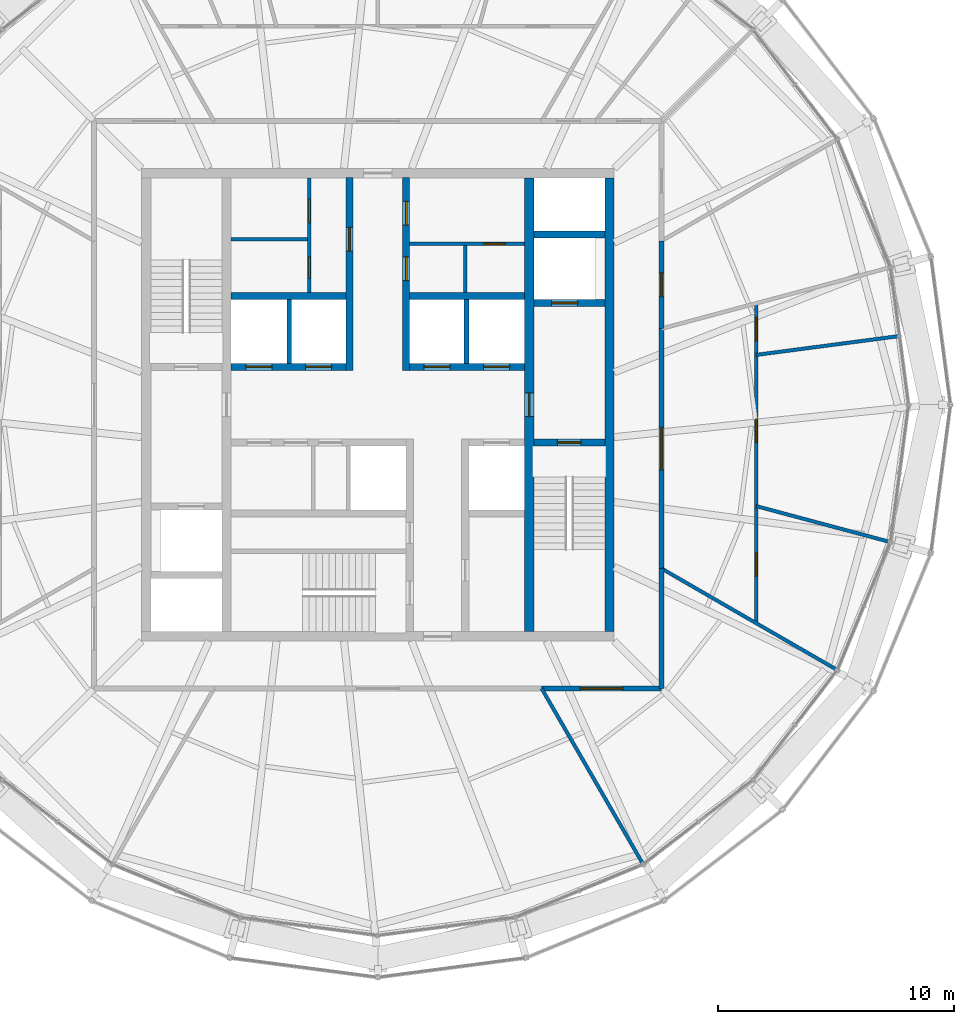
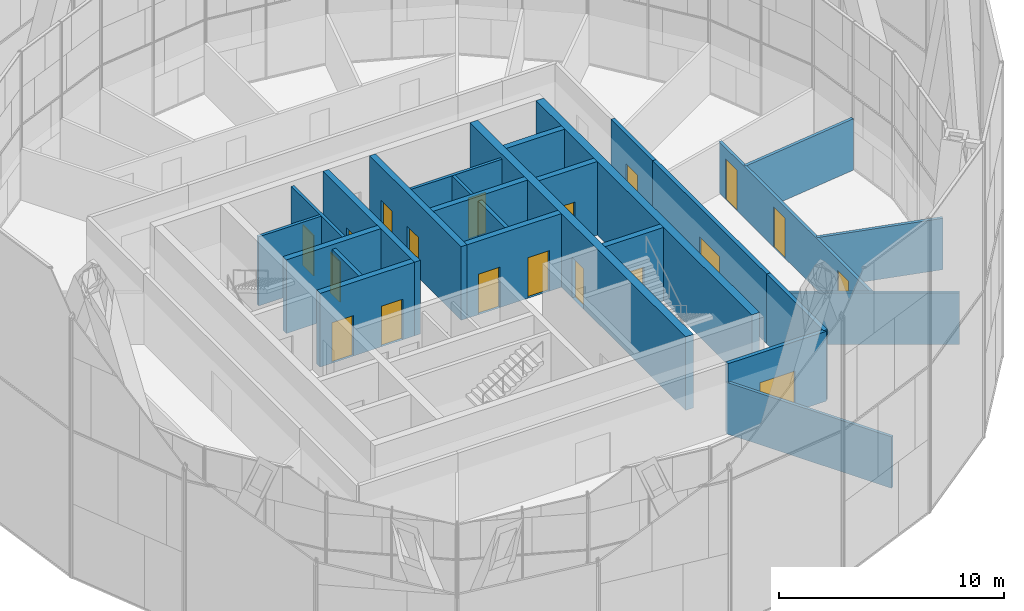
# One storey, part 19 of 22: 26 walls, 19 doors, 19 openings.
"""IFC4 building model written with IfcOpenShell, lengths in metres."""

import ifcopenshell
import ifcopenshell.guid

model = None  # the IFC model being written
_history = None  # IfcOwnerHistory: only IFC2X3 demands one
_inside = {}  # id of a spatial element -> (the spatial element, [elements in it])
_under = {}  # id of a project, library or spatial element -> (it, [spatial elements below it])
_declared = {}  # id of a project -> (the project, [libraries it declares])
_typed = {}  # id of a type object -> (the type object, [elements of that type])
_made_of = {}  # id of a material, layer set ... -> (it, [elements and type objects made of it])


def new_model(schema):
    """Start an empty IFC model of exactly this schema.

    Asked for "IFC4X3", IfcOpenShell would pick the latest addendum, in which some entities
    have other attributes; the version numbers below select the first issue.
    IFC2X3 requires an IfcOwnerHistory on every rooted entity: one is made here for all.
    """
    global model, _history
    if schema == "IFC4X3":
        model = ifcopenshell.file(schema_version=(4, 3, 0, 0))
    else:
        model = ifcopenshell.file(schema=schema)
    _inside.clear()
    _under.clear()
    _declared.clear()
    _typed.clear()
    _made_of.clear()
    _history = None
    if model.schema == "IFC2X3":
        org = make("IfcOrganization", Name="unknown")
        user = make(
            "IfcPersonAndOrganization",
            ThePerson=make("IfcPerson", FamilyName="unknown"),
            TheOrganization=org,
        )
        app = make(
            "IfcApplication",
            ApplicationDeveloper=org,
            Version="unknown",
            ApplicationFullName="unknown",
            ApplicationIdentifier="unknown",
        )
        _history = make(
            "IfcOwnerHistory",
            OwningUser=user,
            OwningApplication=app,
            ChangeAction="ADDED",
            CreationDate=0,
        )
    return model


def make(cls, **values):
    """One entity of the class cls with the attributes given. An attribute that is None is left unset."""
    return model.create_entity(
        cls, **{name: value for name, value in values.items() if value is not None}
    )


def rooted(cls, **values):
    """An entity with a GlobalId (a new one), such as an element, a storey or a relation."""
    return make(cls, GlobalId=ifcopenshell.guid.new(), OwnerHistory=_history, **values)


def si_unit(unit_type, name, prefix=None):
    """IfcSIUnit, for example si_unit("LENGTHUNIT", "METRE", prefix="MILLI")."""
    return make("IfcSIUnit", UnitType=unit_type, Prefix=prefix, Name=name)


def assignment(units):
    """IfcUnitAssignment: the units of a project."""
    return None if units is None else make("IfcUnitAssignment", Units=units)


def point(xyz):
    """IfcCartesianPoint."""
    return None if xyz is None else make("IfcCartesianPoint", Coordinates=xyz)


def direction(xyz):
    """IfcDirection."""
    return None if xyz is None else make("IfcDirection", DirectionRatios=xyz)


def frame(location, z_axis=None, x_axis=None):
    """IfcAxis2Placement3D, a coordinate frame: its origin and axes. An axis left out is left unset."""
    return make(
        "IfcAxis2Placement3D",
        Location=point(location),
        Axis=direction(z_axis),
        RefDirection=direction(x_axis),
    )


def frame_2d(location, x_axis=None):
    """IfcAxis2Placement2D, a coordinate frame in the plane: its origin and x axis."""
    return make(
        "IfcAxis2Placement2D", Location=point(location), RefDirection=direction(x_axis)
    )


def origin():
    """The frame at (0, 0, 0) with its axes left unset."""
    return frame((0.0, 0.0, 0.0))


def place(relative_to, where):
    """IfcLocalPlacement: puts the frame where relative to a parent placement (None: the world)."""
    return make(
        "IfcLocalPlacement", PlacementRelTo=relative_to, RelativePlacement=where
    )


def context(
    kind, dimensions, precision=None, world=None, true_north=None, identifier=None
):
    """IfcGeometricRepresentationContext, for example the 3D "Model" context."""
    return make(
        "IfcGeometricRepresentationContext",
        ContextIdentifier=identifier,
        ContextType=kind,
        CoordinateSpaceDimension=dimensions,
        Precision=precision,
        WorldCoordinateSystem=world,
        TrueNorth=true_north,
    )


def subcontext(parent, identifier, kind, view, scale=None):
    """IfcGeometricRepresentationSubContext, for example "Body" below "Model"."""
    return make(
        "IfcGeometricRepresentationSubContext",
        ContextIdentifier=identifier,
        ContextType=kind,
        ParentContext=parent,
        TargetScale=scale,
        TargetView=view,
    )


def project(units=None, contexts=None):
    """IfcProject with its units and contexts."""
    return rooted(
        "IfcProject",
        Name="project",
        RepresentationContexts=contexts,
        UnitsInContext=assignment(units),
    )


def spatial(cls, under=None, at=None, **own):
    """A site, building, storey or space (cls), placed at a placement, below another one or the project."""
    s = rooted(cls, ObjectPlacement=at, **own)
    if under is not None:
        _under.setdefault(under.id(), (under, []))[1].append(s)
    return s


def profile(cls, at=None, kind="AREA", **sizes):
    """A parametric profile (cls). Its sizes go by their IFC names, for example OverallWidth=200.0."""
    return make(cls, ProfileType=kind, Position=at, **sizes)


def rectangle(**sizes):
    """IfcRectangleProfileDef."""
    return profile("IfcRectangleProfileDef", **sizes)


def extrude(swept, where, along, depth):
    """IfcExtrudedAreaSolid: the profile swept, set in the frame where, extruded along a direction by depth."""
    return make(
        "IfcExtrudedAreaSolid",
        SweptArea=swept,
        Position=where,
        ExtrudedDirection=direction(along),
        Depth=depth,
    )


def shape(context_of_items, identifier, shape_type, items):
    """IfcShapeRepresentation: the items that make up one representation, for example the "Body"."""
    return make(
        "IfcShapeRepresentation",
        ContextOfItems=context_of_items,
        RepresentationIdentifier=identifier,
        RepresentationType=shape_type,
        Items=items,
    )


def material(Name=None, Category=None):
    """IfcMaterial."""
    return make("IfcMaterial", Name=Name, Category=Category)


def layer(
    of_material, thickness, ventilated=None, Name=None, Category=None, Priority=None
):
    """IfcMaterialLayer: one layer of a wall or slab, of a material (None: an air gap)."""
    return make(
        "IfcMaterialLayer",
        Material=of_material,
        LayerThickness=thickness,
        IsVentilated=ventilated,
        Name=Name,
        Category=Category,
        Priority=Priority,
    )


def layer_set(layers, Name=None):
    """IfcMaterialLayerSet."""
    return make("IfcMaterialLayerSet", MaterialLayers=layers, LayerSetName=Name)


def made_of(thing, what):
    """Note that an element or type object is made of a material, layer set ...; save() writes the relation."""
    if what is not None:
        _made_of.setdefault(what.id(), (what, []))[1].append(thing)
    return thing


def type_object(cls, material=None, **own):
    """A type object (cls), such as IfcWallType, which elements share."""
    return made_of(rooted(cls, **own), material)


def element(
    cls,
    number,
    at=None,
    inside=None,
    cuts=None,
    type_object=None,
    material=None,
    context=None,
    identifier="Body",
    shape_type=None,
    held_by="IfcProductDefinitionShape",
    body=None,
    shapes=None,
    **own,
):
    """One element of the class cls, such as IfcWall. Its Tag is "e" and its number.

    at: its placement. inside: the storey or other place that contains it. cuts: it is an
    opening in that element (IfcRelVoidsElement). A single representation is given by context,
    identifier, shape_type and body (its items); several are given by shapes. held_by: the class
    of the entity that holds the representations. save() writes the other relations.
    """
    e = rooted(cls, Tag="e%d" % number, ObjectPlacement=at, **own)
    if body is not None:
        shapes = [shape(context, identifier, shape_type, body)]
    if shapes is not None:
        e.Representation = make(held_by, Representations=shapes)
    if inside is not None:
        _inside.setdefault(inside.id(), (inside, []))[1].append(e)
    if cuts is not None:
        rooted(
            "IfcRelVoidsElement", RelatingBuildingElement=cuts, RelatedOpeningElement=e
        )
    if type_object is not None:
        _typed.setdefault(type_object.id(), (type_object, []))[1].append(e)
    return made_of(e, material)


def fill(opening, filler):
    """IfcRelFillsElement: the door or window that sits in an opening."""
    return rooted(
        "IfcRelFillsElement",
        RelatingOpeningElement=opening,
        RelatedBuildingElement=filler,
    )


def aggregate(whole, parts):
    """IfcRelAggregates: a whole, such as a stair, and the parts it consists of."""
    return rooted("IfcRelAggregates", RelatingObject=whole, RelatedObjects=parts)


def save(model, path):
    """Write the relations noted so far, then the file.

    IfcRelAggregates (storeys below a building ...), IfcRelContainedInSpatialStructure (elements
    in a storey), IfcRelDefinesByType, IfcRelAssociatesMaterial and IfcRelDeclares: one each for
    every whole, place, type object, material and project.
    """
    for whole, parts in _under.values():
        aggregate(whole, parts)
    for where, things in _inside.values():
        rooted(
            "IfcRelContainedInSpatialStructure",
            RelatedElements=things,
            RelatingStructure=where,
        )
    for kind, things in _typed.values():
        rooted("IfcRelDefinesByType", RelatedObjects=things, RelatingType=kind)
    for what, things in _made_of.values():
        rooted("IfcRelAssociatesMaterial", RelatedObjects=things, RelatingMaterial=what)
    for by, libraries in _declared.values():
        rooted("IfcRelDeclares", RelatingContext=by, RelatedDefinitions=libraries)
    model.write(path)


model = new_model("IFC4")

# Units and contexts
model_context = context("Model", 3, precision=1e-05, world=origin(), true_north=direction((0.0, 1.0)))
body_context = subcontext(model_context, "Body", "Model", "MODEL_VIEW")
ifc_project = project(units=[si_unit("LENGTHUNIT", "METRE"), si_unit("AREAUNIT", "SQUARE_METRE"), si_unit("VOLUMEUNIT", "CUBIC_METRE"), si_unit("PLANEANGLEUNIT", "RADIAN"), si_unit("MASSUNIT", "GRAM", prefix="KILO")], contexts=[model_context])

# Site, building, storey
site_placement = place(None, origin())
site = spatial("IfcSite", under=ifc_project, at=site_placement, CompositionType="ELEMENT")
building_placement = place(site_placement, origin())
building = spatial("IfcBuilding", under=site, at=building_placement, Name="Golbaran Civic Tower", CompositionType="ELEMENT")
storey_placement = place(building_placement, frame((0.0, 0.0, 248.0)))
storey = spatial("IfcBuildingStorey", under=building, at=storey_placement, Name="L60", CompositionType="ELEMENT", Elevation=248.0)

# Wall, opening, door
ifc_material_1 = material(Name="Concrete block", Category="concrete")
ifc_layer_1 = layer(ifc_material_1, 0.14990234375, Name="Concrete block")
ifc_layer_set_1 = layer_set([ifc_layer_1], Name="Concrete block")
wall_type_1 = type_object("IfcWallType", Name="BLOCKWORK PARTITION 150", PredefinedType="PARTITIONING", material=ifc_layer_set_1)
wall_1_placement = place(storey_placement, frame((1.35009765625, 6.800048828125, 0.0), z_axis=(0.0, 0.0, 1.0), x_axis=(1.0, 0.0, 0.0)))
wall_1 = element("IfcWall", 1, at=wall_1_placement, inside=storey, type_object=wall_type_1, Name="Toilet block partition TN1 L60", PredefinedType="PARTITIONING", context=body_context, shape_type="SweptSolid", body=[
    extrude(rectangle(XDim=4.849853515625, YDim=0.14990234375, at=frame_2d((2.4248046875, 0.0))), origin(), (0.0, 0.0, 1.0), 3.75),
])
opening_1_placement = place(wall_1_placement, frame((3.14990234375, 0.0, 0.0)))
opening_1 = element("IfcOpeningElement", 2, at=opening_1_placement, cuts=wall_1, Name="Opening L60.CLN", PredefinedType="OPENING", context=body_context, shape_type="SweptSolid", body=[
    extrude(rectangle(XDim=0.89990234375, YDim=2.199951171875, at=frame_2d((0.449951171875, 1.10009765625))), frame((0.0, 0.0849609375, 0.0), z_axis=(0.0, -1.0, 0.0), x_axis=(1.0, 0.0, 0.0)), (0.0, 0.0, 1.0), 0.169921875),
])
ifc_material_2 = material(Name="Timber door set in steel frame", Category="steel")
door_type_1 = type_object("IfcDoorType", Name="RISER DOOR 900x2200", OperationType="SINGLE_SWING_LEFT", PredefinedType="DOOR", material=ifc_material_2)
door_1_placement = place(opening_1_placement, origin())
door_1 = element("IfcDoor", 3, at=door_1_placement, inside=storey, type_object=door_type_1, Name="Floor Store door", OperationType="SINGLE_SWING_RIGHT", OverallHeight=2.199951171875, OverallWidth=0.89990234375, PredefinedType="DOOR", context=body_context, shape_type="SweptSolid", body=[
    extrude(rectangle(XDim=0.89990234375, YDim=2.199951171875, at=frame_2d((0.449951171875, 1.10009765625))), frame((0.0, 0.02490234375, 0.0), z_axis=(0.0, -1.0, 0.0), x_axis=(1.0, 0.0, 0.0)), (0.0, 0.0, 1.0), 0.050048828125),
])
fill(opening_1, door_1)

# Walls
wall_2_placement = place(storey_placement, frame((3.699951171875, 4.75, 0.0), z_axis=(0.0, 0.0, 1.0), x_axis=(0.0, 1.0, 0.0)))
element("IfcWall", 4, at=wall_2_placement, inside=storey, type_object=wall_type_1, Name="Toilet block partition TN2 L60", PredefinedType="PARTITIONING", context=body_context, shape_type="SweptSolid", body=[
    extrude(rectangle(XDim=1.97509765625, YDim=0.14990234375, at=frame_2d((0.987548828125, 0.0))), origin(), (0.0, 0.0, 1.0), 3.75),
])
ifc_material_3 = material(Name="Concrete C50/60", Category="concrete")
ifc_layer_2 = layer(ifc_material_3, 0.39990234375, Name="Concrete C50/60")
ifc_layer_set_2 = layer_set([ifc_layer_2], Name="Concrete C50/60")
wall_type_2 = type_object("IfcWallType", Name="CORE WALL CONCRETE 400", PredefinedType="SOLIDWALL", material=ifc_layer_set_2)
wall_3_placement = place(storey_placement, frame((9.800048828125, -9.60009765625, 0.0), z_axis=(0.0, 0.0, 1.0), x_axis=(0.0, 1.0, 0.0)))
element("IfcWall", 5, at=wall_3_placement, inside=storey, type_object=wall_type_2, Name="Core wall CE L60", PredefinedType="SOLIDWALL", context=body_context, shape_type="SweptSolid", body=[
    extrude(rectangle(XDim=19.2001953125, YDim=0.39990234375, at=frame_2d((9.60009765625, 0.0))), origin(), (0.0, 0.0, 1.0), 4.0),
])

# Wall, opening, door
wall_4_placement = place(storey_placement, frame((6.39990234375, 9.60009765625, 0.0), z_axis=(0.0, 0.0, 1.0), x_axis=(0.0, -1.0, 0.0)))
wall_4 = element("IfcWall", 6, at=wall_4_placement, inside=storey, type_object=wall_type_2, Name="Core wall IE L60", PredefinedType="SOLIDWALL", context=body_context, shape_type="SweptSolid", body=[
    extrude(rectangle(XDim=19.2001953125, YDim=0.39990234375, at=frame_2d((9.60009765625, 0.0))), origin(), (0.0, 0.0, 1.0), 4.0),
])
opening_2_placement = place(wall_4_placement, frame((9.10009765625, 0.0, 0.0)))
opening_2 = element("IfcOpeningElement", 7, at=opening_2_placement, cuts=wall_4, Name="Opening L60.FL2", PredefinedType="OPENING", context=body_context, shape_type="SweptSolid", body=[
    extrude(rectangle(XDim=1.0, YDim=2.199951171875, at=frame_2d((0.5, 1.10009765625))), frame((0.0, 0.2099609375, 0.0), z_axis=(0.0, -1.0, 0.0), x_axis=(1.0, 0.0, 0.0)), (0.0, 0.0, 1.0), 0.419921875),
])
door_type_2 = type_object("IfcDoorType", Name="STAIR DOOR 1000x2200", OperationType="SINGLE_SWING_LEFT", PredefinedType="DOOR", material=ifc_material_2)
door_2_placement = place(opening_2_placement, origin())
door_2 = element("IfcDoor", 8, at=door_2_placement, inside=storey, type_object=door_type_2, Name="Fire-fighting lobby FL2 door", OperationType="SINGLE_SWING_RIGHT", OverallHeight=2.199951171875, OverallWidth=1.0, PredefinedType="DOOR", context=body_context, shape_type="SweptSolid", body=[
    extrude(rectangle(XDim=1.0, YDim=2.199951171875, at=frame_2d((0.5, 1.10009765625))), frame((0.0, 0.02490234375, 0.0), z_axis=(0.0, -1.0, 0.0), x_axis=(1.0, 0.0, 0.0)), (0.0, 0.0, 1.0), 0.050048828125),
])
fill(opening_2, door_2)

ifc_material_4 = material(Name="Gypsum board on steel studs, fire-rated", Category="steel")
ifc_layer_3 = layer(ifc_material_4, 0.199951171875, Name="Gypsum board on steel studs, fire-rated")
ifc_layer_set_3 = layer_set([ifc_layer_3], Name="Gypsum board on steel studs, fire-rated")
wall_type_3 = type_object("IfcWallType", Name="CORRIDOR WALL 200", PredefinedType="PARTITIONING", material=ifc_layer_set_3)
wall_5_placement = place(storey_placement, frame((12.0, -6.92822265625, 0.0), z_axis=(0.0, 0.0, 1.0), x_axis=(0.0, 1.0, 0.0)))
wall_5 = element("IfcWall", 9, at=wall_5_placement, inside=storey, type_object=wall_type_3, Name="Corridor wall L60", PredefinedType="PARTITIONING", context=body_context, shape_type="SweptSolid", body=[
    extrude(rectangle(XDim=10.1435546875, YDim=0.199951171875, at=frame_2d((5.07177734375, 0.0))), origin(), (0.0, 0.0, 1.0), 3.800048828125),
])
opening_3_placement = place(wall_5_placement, frame((4.171875, 0.0, 0.0)))
opening_3 = element("IfcOpeningElement", 10, at=opening_3_placement, cuts=wall_5, Name="Opening L60.14", PredefinedType="OPENING", context=body_context, shape_type="SweptSolid", body=[
    extrude(rectangle(XDim=1.800048828125, YDim=2.199951171875, at=frame_2d((0.89990234375, 1.10009765625))), frame((0.0, 0.10986328125, 0.0), z_axis=(0.0, -1.0, 0.0), x_axis=(1.0, 0.0, 0.0)), (0.0, 0.0, 1.0), 0.219970703125),
])
door_type_3 = type_object("IfcDoorType", Name="OFFICE DOUBLE DOOR 1800x2200", OperationType="DOUBLE_DOOR_SINGLE_SWING", PredefinedType="DOOR", material=ifc_material_2)
door_3_placement = place(opening_3_placement, origin())
door_3 = element("IfcDoor", 11, at=door_3_placement, inside=storey, type_object=door_type_3, Name="Waiting Area door L60", OperationType="DOUBLE_DOOR_SINGLE_SWING", OverallHeight=2.199951171875, OverallWidth=1.800048828125, PredefinedType="DOOR", context=body_context, shape_type="SweptSolid", body=[
    extrude(rectangle(XDim=1.800048828125, YDim=2.199951171875, at=frame_2d((0.89990234375, 1.10009765625))), frame((0.0, 0.02490234375, 0.0), z_axis=(0.0, -1.0, 0.0), x_axis=(1.0, 0.0, 0.0)), (0.0, 0.0, 1.0), 0.050048828125),
])
fill(opening_3, door_3)

wall_6_placement = place(storey_placement, frame((12.0, 3.21533203125, 0.0), z_axis=(0.0, 0.0, 1.0), x_axis=(0.0, 1.0, 0.0)))
wall_6 = element("IfcWall", 12, at=wall_6_placement, inside=storey, type_object=wall_type_3, Name="Corridor wall L60", PredefinedType="PARTITIONING", context=body_context, shape_type="SweptSolid", body=[
    extrude(rectangle(XDim=3.712890625, YDim=0.199951171875, at=frame_2d((1.8564453125, 0.0))), origin(), (0.0, 0.0, 1.0), 3.800048828125),
])
opening_4_placement = place(wall_6_placement, frame((1.3564453125, 0.0, 0.0)))
opening_4 = element("IfcOpeningElement", 13, at=opening_4_placement, cuts=wall_6, Name="Opening L60.15", PredefinedType="OPENING", context=body_context, shape_type="SweptSolid", body=[
    extrude(rectangle(XDim=1.0, YDim=2.199951171875, at=frame_2d((0.5, 1.10009765625))), frame((0.0, 0.10986328125, 0.0), z_axis=(0.0, -1.0, 0.0), x_axis=(1.0, 0.0, 0.0)), (0.0, 0.0, 1.0), 0.219970703125),
])
door_type_4 = type_object("IfcDoorType", Name="OFFICE DOOR 1000x2200", OperationType="SINGLE_SWING_LEFT", PredefinedType="DOOR", material=ifc_material_2)
door_4_placement = place(opening_4_placement, origin())
door_4 = element("IfcDoor", 14, at=door_4_placement, inside=storey, type_object=door_type_4, Name="Meeting Room door L60", OperationType="SINGLE_SWING_LEFT", OverallHeight=2.199951171875, OverallWidth=1.0, PredefinedType="DOOR", context=body_context, shape_type="SweptSolid", body=[
    extrude(rectangle(XDim=1.0, YDim=2.199951171875, at=frame_2d((0.5, 1.10009765625))), frame((0.0, 0.02490234375, 0.0), z_axis=(0.0, -1.0, 0.0), x_axis=(1.0, 0.0, 0.0)), (0.0, 0.0, 1.0), 0.050048828125),
])
fill(opening_4, door_4)

wall_7_placement = place(storey_placement, frame((6.92822265625, -12.0, 0.0), z_axis=(0.0, 0.0, 1.0), x_axis=(1.0, 0.0, 0.0)))
wall_7 = element("IfcWall", 15, at=wall_7_placement, inside=storey, type_object=wall_type_3, Name="Corridor wall L60", PredefinedType="PARTITIONING", context=body_context, shape_type="SweptSolid", body=[
    extrude(rectangle(XDim=5.07177734375, YDim=0.199951171875, at=frame_2d((2.535888671875, 0.0))), origin(), (0.0, 0.0, 1.0), 3.800048828125),
])
opening_5_placement = place(wall_7_placement, frame((1.635986328125, 0.0, 0.0)))
opening_5 = element("IfcOpeningElement", 16, at=opening_5_placement, cuts=wall_7, Name="Opening L60.24", PredefinedType="OPENING", context=body_context, shape_type="SweptSolid", body=[
    extrude(rectangle(XDim=1.800048828125, YDim=2.199951171875, at=frame_2d((0.89990234375, 1.10009765625))), frame((0.0, 0.10986328125, 0.0), z_axis=(0.0, -1.0, 0.0), x_axis=(1.0, 0.0, 0.0)), (0.0, 0.0, 1.0), 0.219970703125),
])
door_5_placement = place(opening_5_placement, origin())
door_5 = element("IfcDoor", 17, at=door_5_placement, inside=storey, type_object=door_type_3, Name="Open Office door L60", OperationType="DOUBLE_DOOR_SINGLE_SWING", OverallHeight=2.199951171875, OverallWidth=1.800048828125, PredefinedType="DOOR", context=body_context, shape_type="SweptSolid", body=[
    extrude(rectangle(XDim=1.800048828125, YDim=2.199951171875, at=frame_2d((0.89990234375, 1.10009765625))), frame((0.0, 0.02490234375, 0.0), z_axis=(0.0, -1.0, 0.0), x_axis=(1.0, 0.0, 0.0)), (0.0, 0.0, 1.0), 0.050048828125),
])
fill(opening_5, door_5)

# Walls
wall_8_placement = place(storey_placement, frame((12.0, -12.0, 0.0), z_axis=(0.0, 0.0, 1.0), x_axis=(0.0, 1.0, 0.0)))
element("IfcWall", 18, at=wall_8_placement, inside=storey, type_object=wall_type_3, Name="Corridor wall L60", PredefinedType="PARTITIONING", context=body_context, shape_type="SweptSolid", body=[
    extrude(rectangle(XDim=5.07177734375, YDim=0.199951171875, at=frame_2d((2.535888671875, 0.0))), origin(), (0.0, 0.0, 1.0), 3.800048828125),
])
ifc_layer_4 = layer(ifc_material_1, 0.199951171875, Name="Concrete block")
ifc_layer_set_4 = layer_set([ifc_layer_4], Name="Concrete block")
wall_type_4 = type_object("IfcWallType", Name="LIFT SEPARATOR WALL 200", PredefinedType="SOLIDWALL", material=ifc_layer_set_4)
for number, where, z_axis, x_axis, name in (
    (19, (-3.75, 1.75, 0.0), (0.0, 0.0, 1.0), (0.0, 1.0, 0.0), "Core partition SNW L60"),
    (20, (3.75, 1.75, 0.0), (0.0, 0.0, 1.0), (0.0, 1.0, 0.0), "Core partition SNE L60"),
):
    element("IfcWall", number, at=place(storey_placement, frame(where, z_axis=z_axis, x_axis=x_axis)), inside=storey, type_object=wall_type_4, Name=name, PredefinedType="SOLIDWALL", context=body_context, shape_type="SweptSolid", body=[
        extrude(rectangle(XDim=2.699951171875, YDim=0.199951171875, at=frame_2d((1.35009765625, 0.0))), origin(), (0.0, 0.0, 1.0), 3.75),
    ])
ifc_material_5 = material(Name="Gypsum board on steel studs", Category="steel")
ifc_layer_5 = layer(ifc_material_5, 0.14990234375, Name="Gypsum board on steel studs")
ifc_layer_set_5 = layer_set([ifc_layer_5], Name="Gypsum board on steel studs")
wall_type_5 = type_object("IfcWallType", Name="OFFICE PARTITION 150", PredefinedType="PARTITIONING", material=ifc_layer_set_5)
for number, where, z_axis, x_axis, name in (
    (21, (12.0, -6.92822265625, 0.0), (0.0, 0.0, 1.0), (0.866026401553, -0.49999827181, 0.0), "Partition 330 L60"),
    (22, (6.92822265625, -12.0, 0.0), (0.0, 0.0, 1.0), (0.49999827181, -0.866026401553, 0.0), "Partition 300 L60"),
):
    element("IfcWall", number, at=place(storey_placement, frame(where, z_axis=z_axis, x_axis=x_axis)), inside=storey, type_object=wall_type_5, Name=name, PredefinedType="PARTITIONING", context=body_context, shape_type="SweptSolid", body=[
        extrude(rectangle(XDim=8.5048828125, YDim=0.14990234375, at=frame_2d((4.25244140625, 0.0))), origin(), (0.0, 0.0, 1.0), 2.7900390625),
    ])

# Wall, openings, doors
wall_9_placement = place(storey_placement, frame((16.0, -9.237548828125, 0.0), z_axis=(0.0, 0.0, 1.0), x_axis=(0.0, 1.0, 0.0)))
wall_9 = element("IfcWall", 23, at=wall_9_placement, inside=storey, type_object=wall_type_5, Name="Suite partition L60", PredefinedType="PARTITIONING", context=body_context, shape_type="SweptSolid", body=[
    extrude(rectangle(XDim=13.524658203125, YDim=0.14990234375, at=frame_2d((6.76220703125, 0.0))), origin(), (0.0, 0.0, 1.0), 2.7900390625),
])
opening_6_placement = place(wall_9_placement, frame((1.97509765625, 0.0, 0.0)))
opening_6 = element("IfcOpeningElement", 24, at=opening_6_placement, cuts=wall_9, Name="Opening L60.02", PredefinedType="OPENING", context=body_context, shape_type="SweptSolid", body=[
    extrude(rectangle(XDim=1.0, YDim=2.199951171875, at=frame_2d((0.5, 1.10009765625))), frame((0.0, 0.0849609375, 0.0), z_axis=(0.0, -1.0, 0.0), x_axis=(1.0, 0.0, 0.0)), (0.0, 0.0, 1.0), 0.169921875),
])
opening_7_placement = place(wall_9_placement, frame((7.647216796875, 0.0, 0.0)))
opening_7 = element("IfcOpeningElement", 25, at=opening_7_placement, cuts=wall_9, Name="Opening L60.03", PredefinedType="OPENING", context=body_context, shape_type="SweptSolid", body=[
    extrude(rectangle(XDim=1.0, YDim=2.199951171875, at=frame_2d((0.5, 1.10009765625))), frame((0.0, 0.0849609375, 0.0), z_axis=(0.0, -1.0, 0.0), x_axis=(1.0, 0.0, 0.0)), (0.0, 0.0, 1.0), 0.169921875),
])
opening_8_placement = place(wall_9_placement, frame((11.934326171875, 0.0, 0.0)))
opening_8 = element("IfcOpeningElement", 26, at=opening_8_placement, cuts=wall_9, Name="Opening L60.04", PredefinedType="OPENING", context=body_context, shape_type="SweptSolid", body=[
    extrude(rectangle(XDim=1.0, YDim=2.199951171875, at=frame_2d((0.5, 1.10009765625))), frame((0.0, 0.0849609375, 0.0), z_axis=(0.0, -1.0, 0.0), x_axis=(1.0, 0.0, 0.0)), (0.0, 0.0, 1.0), 0.169921875),
])
door_6_placement = place(opening_6_placement, origin())
door_6 = element("IfcDoor", 27, at=door_6_placement, inside=storey, type_object=door_type_4, Name="Office door L60", OperationType="SINGLE_SWING_LEFT", OverallHeight=2.199951171875, OverallWidth=1.0, PredefinedType="DOOR", context=body_context, shape_type="SweptSolid", body=[
    extrude(rectangle(XDim=1.0, YDim=2.199951171875, at=frame_2d((0.5, 1.10009765625))), frame((0.0, 0.02490234375, 0.0), z_axis=(0.0, -1.0, 0.0), x_axis=(1.0, 0.0, 0.0)), (0.0, 0.0, 1.0), 0.050048828125),
])
fill(opening_6, door_6)
door_7_placement = place(opening_7_placement, origin())
door_7 = element("IfcDoor", 28, at=door_7_placement, inside=storey, type_object=door_type_4, Name="Office door L60", OperationType="SINGLE_SWING_RIGHT", OverallHeight=2.199951171875, OverallWidth=1.0, PredefinedType="DOOR", context=body_context, shape_type="SweptSolid", body=[
    extrude(rectangle(XDim=1.0, YDim=2.199951171875, at=frame_2d((0.5, 1.10009765625))), frame((0.0, 0.02490234375, 0.0), z_axis=(0.0, -1.0, 0.0), x_axis=(1.0, 0.0, 0.0)), (0.0, 0.0, 1.0), 0.050048828125),
])
fill(opening_7, door_7)
door_8_placement = place(opening_8_placement, origin())
door_8 = element("IfcDoor", 29, at=door_8_placement, inside=storey, type_object=door_type_4, Name="Office door L60", OperationType="SINGLE_SWING_RIGHT", OverallHeight=2.199951171875, OverallWidth=1.0, PredefinedType="DOOR", context=body_context, shape_type="SweptSolid", body=[
    extrude(rectangle(XDim=1.0, YDim=2.199951171875, at=frame_2d((0.5, 1.10009765625))), frame((0.0, 0.02490234375, 0.0), z_axis=(0.0, -1.0, 0.0), x_axis=(1.0, 0.0, 0.0)), (0.0, 0.0, 1.0), 0.050048828125),
])
fill(opening_8, door_8)

# Walls
wall_10_placement = place(storey_placement, frame((16.0, -4.287109375, 0.0), z_axis=(0.0, 0.0, 1.0), x_axis=(0.96591966376, -0.258842042881, 0.0)))
element("IfcWall", 30, at=wall_10_placement, inside=storey, type_object=wall_type_5, Name="Partition 345 L60", PredefinedType="PARTITIONING", context=body_context, shape_type="SweptSolid", body=[
    extrude(rectangle(XDim=5.796875, YDim=0.14990234375, at=frame_2d((2.8984375, 0.0))), origin(), (0.0, 0.0, 1.0), 2.7900390625),
])
wall_11_placement = place(storey_placement, frame((16.0, 2.1064453125, 0.0), z_axis=(0.0, 0.0, 1.0), x_axis=(0.991443960057, 0.130533038219, 0.0)))
element("IfcWall", 31, at=wall_11_placement, inside=storey, type_object=wall_type_5, Name="Partition 7.5 L60", PredefinedType="PARTITIONING", context=body_context, shape_type="SweptSolid", body=[
    extrude(rectangle(XDim=6.03173828125, YDim=0.14990234375, at=frame_2d((3.015869140625, 0.0))), origin(), (0.0, 0.0, 1.0), 2.7900390625),
])

# Wall, openings, doors
ifc_layer_6 = layer(ifc_material_3, 0.300048828125, Name="Concrete C50/60")
ifc_layer_set_6 = layer_set([ifc_layer_6], Name="Concrete C50/60")
wall_type_6 = type_object("IfcWallType", Name="SHAFT WALL CONCRETE 300", PredefinedType="SOLIDWALL", material=ifc_layer_set_6)
wall_12_placement = place(storey_placement, frame((-6.199951171875, 1.60009765625, 0.0), z_axis=(0.0, 0.0, 1.0), x_axis=(1.0, 0.0, 0.0)))
wall_12 = element("IfcWall", 32, at=wall_12_placement, inside=storey, type_object=wall_type_6, Name="Core wall FNW L60", PredefinedType="SOLIDWALL", context=body_context, shape_type="SweptSolid", body=[
    extrude(rectangle(XDim=4.849853515625, YDim=0.300048828125, at=frame_2d((2.4248046875, 0.0))), origin(), (0.0, 0.0, 1.0), 4.0),
])
opening_9_placement = place(wall_12_placement, frame((0.625, 0.0, 0.0)))
opening_9 = element("IfcOpeningElement", 33, at=opening_9_placement, cuts=wall_12, Name="Opening L60.LD-Z1T", PredefinedType="OPENING", context=body_context, shape_type="SweptSolid", body=[
    extrude(rectangle(XDim=1.10009765625, YDim=2.199951171875, at=frame_2d((0.550048828125, 1.10009765625))), frame((0.0, 0.159912109375, 0.0), z_axis=(0.0, -1.0, 0.0), x_axis=(1.0, 0.0, 0.0)), (0.0, 0.0, 1.0), 0.320068359375),
])
opening_10_placement = place(wall_12_placement, frame((3.14990234375, 0.0, 0.0)))
opening_10 = element("IfcOpeningElement", 34, at=opening_10_placement, cuts=wall_12, Name="Opening L60.LD-Z2T", PredefinedType="OPENING", context=body_context, shape_type="SweptSolid", body=[
    extrude(rectangle(XDim=1.10009765625, YDim=2.199951171875, at=frame_2d((0.550048828125, 1.10009765625))), frame((0.0, 0.159912109375, 0.0), z_axis=(0.0, -1.0, 0.0), x_axis=(1.0, 0.0, 0.0)), (0.0, 0.0, 1.0), 0.320068359375),
])
ifc_material_6 = material(Name="Stainless steel", Category="steel")
door_type_5 = type_object("IfcDoorType", Name="LIFT LANDING DOOR 1100x2200", OperationType="SLIDING_TO_LEFT", PredefinedType="DOOR", material=ifc_material_6)
door_9_placement = place(opening_9_placement, origin())
door_9 = element("IfcDoor", 35, at=door_9_placement, inside=storey, type_object=door_type_5, Name="Lift landing door Z1T", OperationType="SLIDING_TO_LEFT", OverallHeight=2.199951171875, OverallWidth=1.10009765625, PredefinedType="DOOR", context=body_context, shape_type="SweptSolid", body=[
    extrude(rectangle(XDim=1.10009765625, YDim=2.199951171875, at=frame_2d((0.550048828125, 1.10009765625))), frame((0.0, 0.02490234375, 0.0), z_axis=(0.0, -1.0, 0.0), x_axis=(1.0, 0.0, 0.0)), (0.0, 0.0, 1.0), 0.050048828125),
])
fill(opening_9, door_9)
door_10_placement = place(opening_10_placement, origin())
door_10 = element("IfcDoor", 36, at=door_10_placement, inside=storey, type_object=door_type_5, Name="Lift landing door Z2T", OperationType="SLIDING_TO_LEFT", OverallHeight=2.199951171875, OverallWidth=1.10009765625, PredefinedType="DOOR", context=body_context, shape_type="SweptSolid", body=[
    extrude(rectangle(XDim=1.10009765625, YDim=2.199951171875, at=frame_2d((0.550048828125, 1.10009765625))), frame((0.0, 0.02490234375, 0.0), z_axis=(0.0, -1.0, 0.0), x_axis=(1.0, 0.0, 0.0)), (0.0, 0.0, 1.0), 0.050048828125),
])
fill(opening_10, door_10)

wall_13_placement = place(storey_placement, frame((1.35009765625, 1.60009765625, 0.0), z_axis=(0.0, 0.0, 1.0), x_axis=(1.0, 0.0, 0.0)))
wall_13 = element("IfcWall", 37, at=wall_13_placement, inside=storey, type_object=wall_type_6, Name="Core wall FNE L60", PredefinedType="SOLIDWALL", context=body_context, shape_type="SweptSolid", body=[
    extrude(rectangle(XDim=4.849853515625, YDim=0.300048828125, at=frame_2d((2.4248046875, 0.0))), origin(), (0.0, 0.0, 1.0), 4.0),
])
opening_11_placement = place(wall_13_placement, frame((0.60009765625, 0.0, 0.0)))
opening_11 = element("IfcOpeningElement", 38, at=opening_11_placement, cuts=wall_13, Name="Opening L60.LD-Z3T", PredefinedType="OPENING", context=body_context, shape_type="SweptSolid", body=[
    extrude(rectangle(XDim=1.10009765625, YDim=2.199951171875, at=frame_2d((0.550048828125, 1.10009765625))), frame((0.0, 0.159912109375, 0.0), z_axis=(0.0, -1.0, 0.0), x_axis=(1.0, 0.0, 0.0)), (0.0, 0.0, 1.0), 0.320068359375),
])
opening_12_placement = place(wall_13_placement, frame((3.125, 0.0, 0.0)))
opening_12 = element("IfcOpeningElement", 39, at=opening_12_placement, cuts=wall_13, Name="Opening L60.LD-Z4T", PredefinedType="OPENING", context=body_context, shape_type="SweptSolid", body=[
    extrude(rectangle(XDim=1.10009765625, YDim=2.199951171875, at=frame_2d((0.550048828125, 1.10009765625))), frame((0.0, 0.159912109375, 0.0), z_axis=(0.0, -1.0, 0.0), x_axis=(1.0, 0.0, 0.0)), (0.0, 0.0, 1.0), 0.320068359375),
])
door_11_placement = place(opening_11_placement, origin())
door_11 = element("IfcDoor", 40, at=door_11_placement, inside=storey, type_object=door_type_5, Name="Lift landing door Z3T", OperationType="SLIDING_TO_LEFT", OverallHeight=2.199951171875, OverallWidth=1.10009765625, PredefinedType="DOOR", context=body_context, shape_type="SweptSolid", body=[
    extrude(rectangle(XDim=1.10009765625, YDim=2.199951171875, at=frame_2d((0.550048828125, 1.10009765625))), frame((0.0, 0.02490234375, 0.0), z_axis=(0.0, -1.0, 0.0), x_axis=(1.0, 0.0, 0.0)), (0.0, 0.0, 1.0), 0.050048828125),
])
fill(opening_11, door_11)
door_12_placement = place(opening_12_placement, origin())
door_12 = element("IfcDoor", 41, at=door_12_placement, inside=storey, type_object=door_type_5, Name="Lift landing door Z4T", OperationType="SLIDING_TO_LEFT", OverallHeight=2.199951171875, OverallWidth=1.10009765625, PredefinedType="DOOR", context=body_context, shape_type="SweptSolid", body=[
    extrude(rectangle(XDim=1.10009765625, YDim=2.199951171875, at=frame_2d((0.550048828125, 1.10009765625))), frame((0.0, 0.02490234375, 0.0), z_axis=(0.0, -1.0, 0.0), x_axis=(1.0, 0.0, 0.0)), (0.0, 0.0, 1.0), 0.050048828125),
])
fill(opening_12, door_12)

# Walls
for number, where, z_axis, x_axis, name in (
    (42, (-6.199951171875, 4.60009765625, 0.0), (0.0, 0.0, 1.0), (1.0, 0.0, 0.0), "Core wall BNW L60"),
    (43, (1.35009765625, 4.60009765625, 0.0), (0.0, 0.0, 1.0), (1.0, 0.0, 0.0), "Core wall BNE L60"),
):
    element("IfcWall", number, at=place(storey_placement, frame(where, z_axis=z_axis, x_axis=x_axis)), inside=storey, type_object=wall_type_6, Name=name, PredefinedType="SOLIDWALL", context=body_context, shape_type="SweptSolid", body=[
        extrude(rectangle(XDim=4.849853515625, YDim=0.300048828125, at=frame_2d((2.4248046875, 0.0))), origin(), (0.0, 0.0, 1.0), 4.0),
    ])

# Wall, opening, door
wall_14_placement = place(storey_placement, frame((-1.199951171875, 1.449951171875, 0.0), z_axis=(0.0, 0.0, 1.0), x_axis=(0.0, 1.0, 0.0)))
wall_14 = element("IfcWall", 44, at=wall_14_placement, inside=storey, type_object=wall_type_6, Name="Core wall PNW L60", PredefinedType="SOLIDWALL", context=body_context, shape_type="SweptSolid", body=[
    extrude(rectangle(XDim=8.150146484375, YDim=0.300048828125, at=frame_2d((4.0751953125, 0.0))), origin(), (0.0, 0.0, 1.0), 4.0),
])
opening_13_placement = place(wall_14_placement, frame((5.050048828125, 0.0, 0.0)))
opening_13 = element("IfcOpeningElement", 45, at=opening_13_placement, cuts=wall_14, Name="Opening L60.WCM", PredefinedType="OPENING", context=body_context, shape_type="SweptSolid", body=[
    extrude(rectangle(XDim=1.0, YDim=2.199951171875, at=frame_2d((0.5, 1.10009765625))), frame((0.0, 0.159912109375, 0.0), z_axis=(0.0, -1.0, 0.0), x_axis=(1.0, 0.0, 0.0)), (0.0, 0.0, 1.0), 0.320068359375),
])
door_type_6 = type_object("IfcDoorType", Name="TOILET DOOR 1000x2200", OperationType="SINGLE_SWING_LEFT", PredefinedType="DOOR", material=ifc_material_2)
door_13_placement = place(opening_13_placement, origin())
door_13 = element("IfcDoor", 46, at=door_13_placement, inside=storey, type_object=door_type_6, Name="North-west toilet block door", OperationType="SINGLE_SWING_RIGHT", OverallHeight=2.199951171875, OverallWidth=1.0, PredefinedType="DOOR", context=body_context, shape_type="SweptSolid", body=[
    extrude(rectangle(XDim=1.0, YDim=2.199951171875, at=frame_2d((0.5, 1.10009765625))), frame((0.0, 0.02490234375, 0.0), z_axis=(0.0, -1.0, 0.0), x_axis=(1.0, 0.0, 0.0)), (0.0, 0.0, 1.0), 0.050048828125),
])
fill(opening_13, door_13)

# Wall, openings, doors
wall_15_placement = place(storey_placement, frame((1.199951171875, 1.449951171875, 0.0), z_axis=(0.0, 0.0, 1.0), x_axis=(0.0, 1.0, 0.0)))
wall_15 = element("IfcWall", 47, at=wall_15_placement, inside=storey, type_object=wall_type_6, Name="Core wall PNE L60", PredefinedType="SOLIDWALL", context=body_context, shape_type="SweptSolid", body=[
    extrude(rectangle(XDim=8.150146484375, YDim=0.300048828125, at=frame_2d((4.0751953125, 0.0))), origin(), (0.0, 0.0, 1.0), 4.0),
])
opening_14_placement = place(wall_15_placement, frame((3.800048828125, 0.0, 0.0)))
opening_14 = element("IfcOpeningElement", 48, at=opening_14_placement, cuts=wall_15, Name="Opening L60.WCA", PredefinedType="OPENING", context=body_context, shape_type="SweptSolid", body=[
    extrude(rectangle(XDim=1.0, YDim=2.199951171875, at=frame_2d((0.5, 1.10009765625))), frame((0.0, 0.159912109375, 0.0), z_axis=(0.0, -1.0, 0.0), x_axis=(1.0, 0.0, 0.0)), (0.0, 0.0, 1.0), 0.320068359375),
])
opening_15_placement = place(wall_15_placement, frame((6.14990234375, 0.0, 0.0)))
opening_15 = element("IfcOpeningElement", 49, at=opening_15_placement, cuts=wall_15, Name="Opening L60.WCF", PredefinedType="OPENING", context=body_context, shape_type="SweptSolid", body=[
    extrude(rectangle(XDim=1.0, YDim=2.199951171875, at=frame_2d((0.5, 1.10009765625))), frame((0.0, 0.159912109375, 0.0), z_axis=(0.0, -1.0, 0.0), x_axis=(1.0, 0.0, 0.0)), (0.0, 0.0, 1.0), 0.320068359375),
])
door_14_placement = place(opening_14_placement, origin())
door_14 = element("IfcDoor", 50, at=door_14_placement, inside=storey, type_object=door_type_6, Name="Accessible WC door", OperationType="SINGLE_SWING_RIGHT", OverallHeight=2.199951171875, OverallWidth=1.0, PredefinedType="DOOR", context=body_context, shape_type="SweptSolid", body=[
    extrude(rectangle(XDim=1.0, YDim=2.199951171875, at=frame_2d((0.5, 1.10009765625))), frame((0.0, 0.02490234375, 0.0), z_axis=(0.0, -1.0, 0.0), x_axis=(1.0, 0.0, 0.0)), (0.0, 0.0, 1.0), 0.050048828125),
])
fill(opening_14, door_14)
door_15_placement = place(opening_15_placement, origin())
door_15 = element("IfcDoor", 51, at=door_15_placement, inside=storey, type_object=door_type_6, Name="North-east toilet block door", OperationType="SINGLE_SWING_RIGHT", OverallHeight=2.199951171875, OverallWidth=1.0, PredefinedType="DOOR", context=body_context, shape_type="SweptSolid", body=[
    extrude(rectangle(XDim=1.0, YDim=2.199951171875, at=frame_2d((0.5, 1.10009765625))), frame((0.0, 0.02490234375, 0.0), z_axis=(0.0, -1.0, 0.0), x_axis=(1.0, 0.0, 0.0)), (0.0, 0.0, 1.0), 0.050048828125),
])
fill(opening_15, door_15)

# Wall, opening, door
wall_16_placement = place(storey_placement, frame((6.60009765625, -1.60009765625, 0.0), z_axis=(0.0, 0.0, 1.0), x_axis=(1.0, 0.0, 0.0)))
wall_16 = element("IfcWall", 52, at=wall_16_placement, inside=storey, type_object=wall_type_6, Name="Core wall XE1 L60", PredefinedType="SOLIDWALL", context=body_context, shape_type="SweptSolid", body=[
    extrude(rectangle(XDim=3.0, YDim=0.300048828125, at=frame_2d((1.5, 0.0))), origin(), (0.0, 0.0, 1.0), 4.0),
])
opening_16_placement = place(wall_16_placement, frame((1.0, 0.0, 0.0)))
opening_16 = element("IfcOpeningElement", 53, at=opening_16_placement, cuts=wall_16, Name="Opening L60.S2", PredefinedType="OPENING", context=body_context, shape_type="SweptSolid", body=[
    extrude(rectangle(XDim=1.0, YDim=2.199951171875, at=frame_2d((0.5, 1.10009765625))), frame((0.0, 0.159912109375, 0.0), z_axis=(0.0, -1.0, 0.0), x_axis=(1.0, 0.0, 0.0)), (0.0, 0.0, 1.0), 0.320068359375),
])
door_16_placement = place(opening_16_placement, origin())
door_16 = element("IfcDoor", 54, at=door_16_placement, inside=storey, type_object=door_type_2, Name="Stair S2 door", OperationType="SINGLE_SWING_LEFT", OverallHeight=2.199951171875, OverallWidth=1.0, PredefinedType="DOOR", context=body_context, shape_type="SweptSolid", body=[
    extrude(rectangle(XDim=1.0, YDim=2.199951171875, at=frame_2d((0.5, 1.10009765625))), frame((0.0, 0.02490234375, 0.0), z_axis=(0.0, -1.0, 0.0), x_axis=(1.0, 0.0, 0.0)), (0.0, 0.0, 1.0), 0.050048828125),
])
fill(opening_16, door_16)

wall_17_placement = place(storey_placement, frame((6.60009765625, 4.300048828125, 0.0), z_axis=(0.0, 0.0, 1.0), x_axis=(1.0, 0.0, 0.0)))
wall_17 = element("IfcWall", 55, at=wall_17_placement, inside=storey, type_object=wall_type_6, Name="Core wall XE2 L60", PredefinedType="SOLIDWALL", context=body_context, shape_type="SweptSolid", body=[
    extrude(rectangle(XDim=3.0, YDim=0.300048828125, at=frame_2d((1.5, 0.0))), origin(), (0.0, 0.0, 1.0), 4.0),
])
opening_17_placement = place(wall_17_placement, frame((0.75, 0.0, 0.0)))
opening_17 = element("IfcOpeningElement", 56, at=opening_17_placement, cuts=wall_17, Name="Opening L60.LD-F2", PredefinedType="OPENING", context=body_context, shape_type="SweptSolid", body=[
    extrude(rectangle(XDim=1.10009765625, YDim=2.199951171875, at=frame_2d((0.550048828125, 1.10009765625))), frame((0.0, 0.159912109375, 0.0), z_axis=(0.0, -1.0, 0.0), x_axis=(1.0, 0.0, 0.0)), (0.0, 0.0, 1.0), 0.320068359375),
])
door_17_placement = place(opening_17_placement, origin())
door_17 = element("IfcDoor", 57, at=door_17_placement, inside=storey, type_object=door_type_5, Name="Lift landing door F2", OperationType="SLIDING_TO_LEFT", OverallHeight=2.199951171875, OverallWidth=1.10009765625, PredefinedType="DOOR", context=body_context, shape_type="SweptSolid", body=[
    extrude(rectangle(XDim=1.10009765625, YDim=2.199951171875, at=frame_2d((0.550048828125, 1.10009765625))), frame((0.0, 0.02490234375, 0.0), z_axis=(0.0, -1.0, 0.0), x_axis=(1.0, 0.0, 0.0)), (0.0, 0.0, 1.0), 0.050048828125),
])
fill(opening_17, door_17)

# Wall
wall_18_placement = place(storey_placement, frame((6.60009765625, 7.199951171875, 0.0), z_axis=(0.0, 0.0, 1.0), x_axis=(1.0, 0.0, 0.0)))
element("IfcWall", 58, at=wall_18_placement, inside=storey, type_object=wall_type_6, Name="Core wall XE3 L60", PredefinedType="SOLIDWALL", context=body_context, shape_type="SweptSolid", body=[
    extrude(rectangle(XDim=3.0, YDim=0.300048828125, at=frame_2d((1.5, 0.0))), origin(), (0.0, 0.0, 1.0), 4.0),
])

# Wall, openings, doors
ifc_material_7 = material(Name="Moisture-resistant gypsum board on steel studs", Category="steel")
ifc_layer_7 = layer(ifc_material_7, 0.14990234375, Name="Moisture-resistant gypsum board on steel studs")
ifc_layer_set_7 = layer_set([ifc_layer_7], Name="Moisture-resistant gypsum board on steel studs")
wall_type_7 = type_object("IfcWallType", Name="TOILET BLOCK PARTITION 150", PredefinedType="PARTITIONING", material=ifc_layer_set_7)
wall_19_placement = place(storey_placement, frame((-2.89990234375, 4.75, 0.0), z_axis=(0.0, 0.0, 1.0), x_axis=(0.0, 1.0, 0.0)))
wall_19 = element("IfcWall", 59, at=wall_19_placement, inside=storey, type_object=wall_type_7, Name="Toilet block partition MWL L60", PredefinedType="PARTITIONING", context=body_context, shape_type="SweptSolid", body=[
    extrude(rectangle(XDim=4.85009765625, YDim=0.14990234375, at=frame_2d((2.425048828125, 0.0))), origin(), (0.0, 0.0, 1.0), 3.75),
])
opening_18_placement = place(wall_19_placement, frame((2.949951171875, 0.0, 0.0)))
opening_18 = element("IfcOpeningElement", 60, at=opening_18_placement, cuts=wall_19, Name="Opening L60.25", PredefinedType="OPENING", context=body_context, shape_type="SweptSolid", body=[
    extrude(rectangle(XDim=1.0, YDim=2.199951171875, at=frame_2d((0.5, 1.10009765625))), frame((0.0, 0.0849609375, 0.0), z_axis=(0.0, -1.0, 0.0), x_axis=(1.0, 0.0, 0.0)), (0.0, 0.0, 1.0), 0.169921875),
])
opening_19_placement = place(wall_19_placement, frame((0.60009765625, 0.0, 0.0)))
opening_19 = element("IfcOpeningElement", 61, at=opening_19_placement, cuts=wall_19, Name="Opening L60.01", PredefinedType="OPENING", context=body_context, shape_type="SweptSolid", body=[
    extrude(rectangle(XDim=0.89990234375, YDim=2.199951171875, at=frame_2d((0.449951171875, 1.10009765625))), frame((0.0, 0.0849609375, 0.0), z_axis=(0.0, -1.0, 0.0), x_axis=(1.0, 0.0, 0.0)), (0.0, 0.0, 1.0), 0.169921875),
])
door_18_placement = place(opening_19_placement, origin())
door_18 = element("IfcDoor", 62, at=door_18_placement, inside=storey, type_object=door_type_1, Name="IT and comms room door", OperationType="SINGLE_SWING_LEFT", OverallHeight=2.199951171875, OverallWidth=0.89990234375, PredefinedType="DOOR", context=body_context, shape_type="SweptSolid", body=[
    extrude(rectangle(XDim=0.89990234375, YDim=2.199951171875, at=frame_2d((0.449951171875, 1.10009765625))), frame((0.0, 0.02490234375, 0.0), z_axis=(0.0, -1.0, 0.0), x_axis=(1.0, 0.0, 0.0)), (0.0, 0.0, 1.0), 0.050048828125),
])
fill(opening_19, door_18)
door_19_placement = place(opening_18_placement, origin())
door_19 = element("IfcDoor", 63, at=door_19_placement, inside=storey, type_object=door_type_6, Name="Female WC door", OperationType="SINGLE_SWING_RIGHT", OverallHeight=2.199951171875, OverallWidth=1.0, PredefinedType="DOOR", context=body_context, shape_type="SweptSolid", body=[
    extrude(rectangle(XDim=1.0, YDim=2.199951171875, at=frame_2d((0.5, 1.10009765625))), frame((0.0, 0.02490234375, 0.0), z_axis=(0.0, -1.0, 0.0), x_axis=(1.0, 0.0, 0.0)), (0.0, 0.0, 1.0), 0.050048828125),
])
fill(opening_18, door_19)

# Wall
wall_20_placement = place(storey_placement, frame((-6.199951171875, 7.0, 0.0), z_axis=(0.0, 0.0, 1.0), x_axis=(1.0, 0.0, 0.0)))
element("IfcWall", 64, at=wall_20_placement, inside=storey, type_object=wall_type_7, Name="Toilet block partition MWX L60", PredefinedType="PARTITIONING", context=body_context, shape_type="SweptSolid", body=[
    extrude(rectangle(XDim=3.224853515625, YDim=0.14990234375, at=frame_2d((1.6123046875, 0.0))), origin(), (0.0, 0.0, 1.0), 3.75),
])

save(model, "model.ifc")
